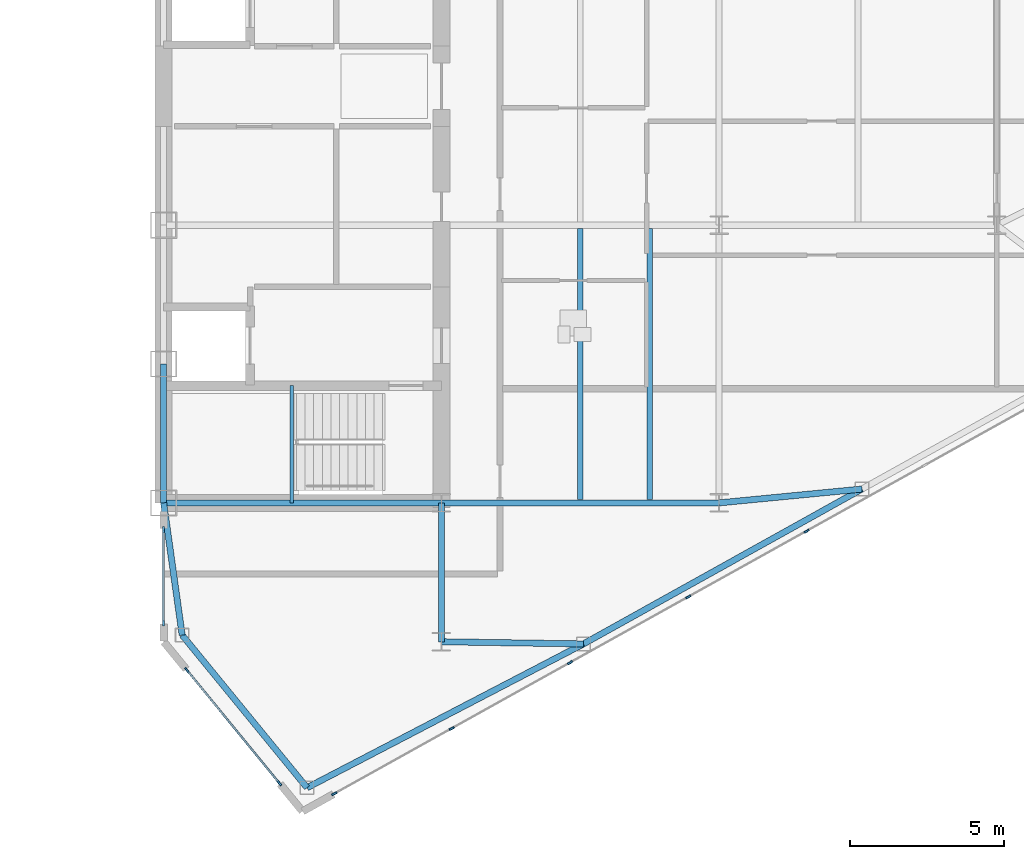
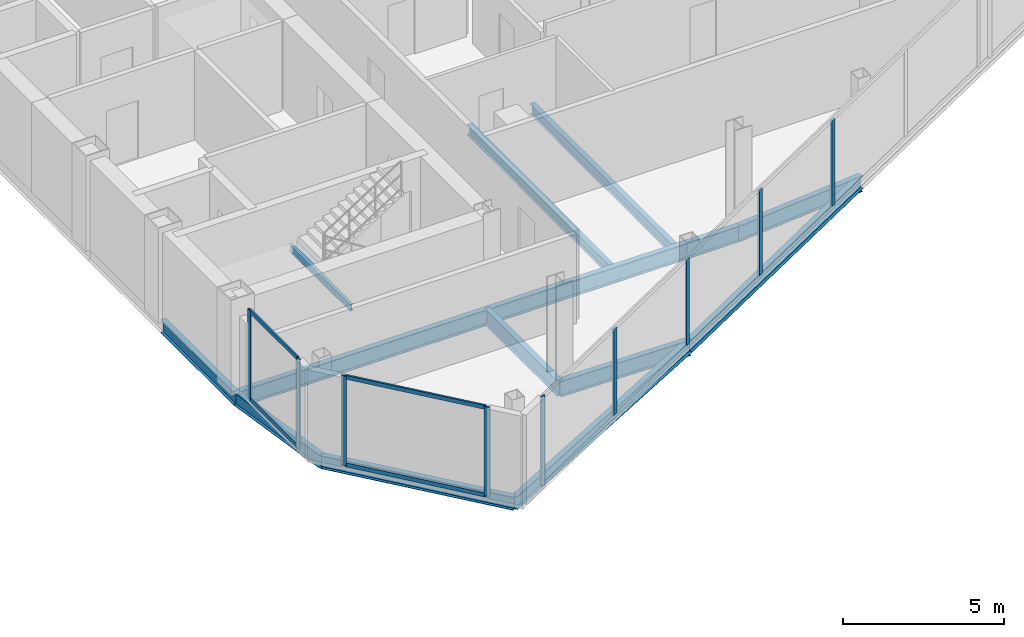
# One storey, part 11 of 25: 13 beams, 13 members, 3 elements without a shape of their own.
"""IFC4 building model written with IfcOpenShell, lengths in metres."""

import ifcopenshell
import ifcopenshell.guid

model = None  # the IFC model being written
_history = None  # IfcOwnerHistory: only IFC2X3 demands one
_inside = {}  # id of a spatial element -> (the spatial element, [elements in it])
_under = {}  # id of a project, library or spatial element -> (it, [spatial elements below it])
_declared = {}  # id of a project -> (the project, [libraries it declares])
_typed = {}  # id of a type object -> (the type object, [elements of that type])
_made_of = {}  # id of a material, layer set ... -> (it, [elements and type objects made of it])


def new_model(schema):
    """Start an empty IFC model of exactly this schema.

    Asked for "IFC4X3", IfcOpenShell would pick the latest addendum, in which some entities
    have other attributes; the version numbers below select the first issue.
    IFC2X3 requires an IfcOwnerHistory on every rooted entity: one is made here for all.
    """
    global model, _history
    if schema == "IFC4X3":
        model = ifcopenshell.file(schema_version=(4, 3, 0, 0))
    else:
        model = ifcopenshell.file(schema=schema)
    _inside.clear()
    _under.clear()
    _declared.clear()
    _typed.clear()
    _made_of.clear()
    _history = None
    if model.schema == "IFC2X3":
        org = make("IfcOrganization", Name="unknown")
        user = make(
            "IfcPersonAndOrganization",
            ThePerson=make("IfcPerson", FamilyName="unknown"),
            TheOrganization=org,
        )
        app = make(
            "IfcApplication",
            ApplicationDeveloper=org,
            Version="unknown",
            ApplicationFullName="unknown",
            ApplicationIdentifier="unknown",
        )
        _history = make(
            "IfcOwnerHistory",
            OwningUser=user,
            OwningApplication=app,
            ChangeAction="ADDED",
            CreationDate=0,
        )
    return model


def make(cls, **values):
    """One entity of the class cls with the attributes given. An attribute that is None is left unset."""
    return model.create_entity(
        cls, **{name: value for name, value in values.items() if value is not None}
    )


def rooted(cls, **values):
    """An entity with a GlobalId (a new one), such as an element, a storey or a relation."""
    return make(cls, GlobalId=ifcopenshell.guid.new(), OwnerHistory=_history, **values)


def si_unit(unit_type, name, prefix=None):
    """IfcSIUnit, for example si_unit("LENGTHUNIT", "METRE", prefix="MILLI")."""
    return make("IfcSIUnit", UnitType=unit_type, Prefix=prefix, Name=name)


def assignment(units):
    """IfcUnitAssignment: the units of a project."""
    return None if units is None else make("IfcUnitAssignment", Units=units)


def point(xyz):
    """IfcCartesianPoint."""
    return None if xyz is None else make("IfcCartesianPoint", Coordinates=xyz)


def direction(xyz):
    """IfcDirection."""
    return None if xyz is None else make("IfcDirection", DirectionRatios=xyz)


def frame(location, z_axis=None, x_axis=None):
    """IfcAxis2Placement3D, a coordinate frame: its origin and axes. An axis left out is left unset."""
    return make(
        "IfcAxis2Placement3D",
        Location=point(location),
        Axis=direction(z_axis),
        RefDirection=direction(x_axis),
    )


def frame_2d(location, x_axis=None):
    """IfcAxis2Placement2D, a coordinate frame in the plane: its origin and x axis."""
    return make(
        "IfcAxis2Placement2D", Location=point(location), RefDirection=direction(x_axis)
    )


def origin():
    """The frame at (0, 0, 0) with its axes left unset."""
    return frame((0.0, 0.0, 0.0))


def origin_2d():
    """The frame at (0, 0) in the plane with its x axis left unset."""
    return frame_2d((0.0, 0.0))


def place(relative_to, where):
    """IfcLocalPlacement: puts the frame where relative to a parent placement (None: the world)."""
    return make(
        "IfcLocalPlacement", PlacementRelTo=relative_to, RelativePlacement=where
    )


def context(
    kind, dimensions, precision=None, world=None, true_north=None, identifier=None
):
    """IfcGeometricRepresentationContext, for example the 3D "Model" context."""
    return make(
        "IfcGeometricRepresentationContext",
        ContextIdentifier=identifier,
        ContextType=kind,
        CoordinateSpaceDimension=dimensions,
        Precision=precision,
        WorldCoordinateSystem=world,
        TrueNorth=true_north,
    )


def subcontext(parent, identifier, kind, view, scale=None):
    """IfcGeometricRepresentationSubContext, for example "Body" below "Model"."""
    return make(
        "IfcGeometricRepresentationSubContext",
        ContextIdentifier=identifier,
        ContextType=kind,
        ParentContext=parent,
        TargetScale=scale,
        TargetView=view,
    )


def project(units=None, contexts=None):
    """IfcProject with its units and contexts."""
    return rooted(
        "IfcProject",
        Name="project",
        RepresentationContexts=contexts,
        UnitsInContext=assignment(units),
    )


def spatial(cls, under=None, at=None, **own):
    """A site, building, storey or space (cls), placed at a placement, below another one or the project."""
    s = rooted(cls, ObjectPlacement=at, **own)
    if under is not None:
        _under.setdefault(under.id(), (under, []))[1].append(s)
    return s


def profile(cls, at=None, kind="AREA", **sizes):
    """A parametric profile (cls). Its sizes go by their IFC names, for example OverallWidth=200.0."""
    return make(cls, ProfileType=kind, Position=at, **sizes)


def rectangle(**sizes):
    """IfcRectangleProfileDef."""
    return profile("IfcRectangleProfileDef", **sizes)


def i_section(**sizes):
    """IfcIShapeProfileDef."""
    return profile("IfcIShapeProfileDef", **sizes)


def extrude(swept, where, along, depth):
    """IfcExtrudedAreaSolid: the profile swept, set in the frame where, extruded along a direction by depth."""
    return make(
        "IfcExtrudedAreaSolid",
        SweptArea=swept,
        Position=where,
        ExtrudedDirection=direction(along),
        Depth=depth,
    )


def shape(context_of_items, identifier, shape_type, items):
    """IfcShapeRepresentation: the items that make up one representation, for example the "Body"."""
    return make(
        "IfcShapeRepresentation",
        ContextOfItems=context_of_items,
        RepresentationIdentifier=identifier,
        RepresentationType=shape_type,
        Items=items,
    )


def source(mapping_origin, context_of_items, identifier, shape_type, items):
    """IfcRepresentationMap: a shape defined once, which mapped items show again and again."""
    return make(
        "IfcRepresentationMap",
        MappingOrigin=mapping_origin,
        MappedRepresentation=shape(context_of_items, identifier, shape_type, items),
    )


def transform(
    local_origin,
    x_axis=None,
    y_axis=None,
    z_axis=None,
    scale=None,
    scale2=None,
    scale3=None,
    uniform=True,
):
    """IfcCartesianTransformationOperator3D, or its non-uniform kind. x_axis, y_axis, z_axis: its Axis1, 2, 3."""
    if uniform:
        return make(
            "IfcCartesianTransformationOperator3D",
            Axis1=direction(x_axis),
            Axis2=direction(y_axis),
            LocalOrigin=point(local_origin),
            Scale=scale,
            Axis3=direction(z_axis),
        )
    return make(
        "IfcCartesianTransformationOperator3DnonUniform",
        Axis1=direction(x_axis),
        Axis2=direction(y_axis),
        LocalOrigin=point(local_origin),
        Scale=scale,
        Axis3=direction(z_axis),
        Scale2=scale2,
        Scale3=scale3,
    )


def mapped(mapping_source, mapping_target):
    """IfcMappedItem: shows the shape of a source again, moved by a transform."""
    return make(
        "IfcMappedItem", MappingSource=mapping_source, MappingTarget=mapping_target
    )


def material(Name=None, Category=None):
    """IfcMaterial."""
    return make("IfcMaterial", Name=Name, Category=Category)


def layer(
    of_material, thickness, ventilated=None, Name=None, Category=None, Priority=None
):
    """IfcMaterialLayer: one layer of a wall or slab, of a material (None: an air gap)."""
    return make(
        "IfcMaterialLayer",
        Material=of_material,
        LayerThickness=thickness,
        IsVentilated=ventilated,
        Name=Name,
        Category=Category,
        Priority=Priority,
    )


def layer_set(layers, Name=None):
    """IfcMaterialLayerSet."""
    return make("IfcMaterialLayerSet", MaterialLayers=layers, LayerSetName=Name)


def material_profile(
    of_material, cross_section, Name=None, Category=None, Priority=None
):
    """IfcMaterialProfile: a cross section and its material."""
    return make(
        "IfcMaterialProfile",
        Name=Name,
        Material=of_material,
        Profile=cross_section,
        Priority=Priority,
        Category=Category,
    )


def profile_set(profiles, Name=None, composite=None):
    """IfcMaterialProfileSet."""
    return make(
        "IfcMaterialProfileSet",
        Name=Name,
        MaterialProfiles=profiles,
        CompositeProfile=composite,
    )


def made_of(thing, what):
    """Note that an element or type object is made of a material, layer set ...; save() writes the relation."""
    if what is not None:
        _made_of.setdefault(what.id(), (what, []))[1].append(thing)
    return thing


def type_object(cls, material=None, **own):
    """A type object (cls), such as IfcWallType, which elements share."""
    return made_of(rooted(cls, **own), material)


def type_shapes(of_type, sources):
    """Give a type object the sources (RepresentationMaps) that its elements show as mapped items."""
    of_type.RepresentationMaps = sources


def element(
    cls,
    number,
    at=None,
    inside=None,
    cuts=None,
    type_object=None,
    material=None,
    context=None,
    identifier="Body",
    shape_type=None,
    held_by="IfcProductDefinitionShape",
    body=None,
    shapes=None,
    **own,
):
    """One element of the class cls, such as IfcWall. Its Tag is "e" and its number.

    at: its placement. inside: the storey or other place that contains it. cuts: it is an
    opening in that element (IfcRelVoidsElement). A single representation is given by context,
    identifier, shape_type and body (its items); several are given by shapes. held_by: the class
    of the entity that holds the representations. save() writes the other relations.
    """
    e = rooted(cls, Tag="e%d" % number, ObjectPlacement=at, **own)
    if body is not None:
        shapes = [shape(context, identifier, shape_type, body)]
    if shapes is not None:
        e.Representation = make(held_by, Representations=shapes)
    if inside is not None:
        _inside.setdefault(inside.id(), (inside, []))[1].append(e)
    if cuts is not None:
        rooted(
            "IfcRelVoidsElement", RelatingBuildingElement=cuts, RelatedOpeningElement=e
        )
    if type_object is not None:
        _typed.setdefault(type_object.id(), (type_object, []))[1].append(e)
    return made_of(e, material)


def aggregate(whole, parts):
    """IfcRelAggregates: a whole, such as a stair, and the parts it consists of."""
    return rooted("IfcRelAggregates", RelatingObject=whole, RelatedObjects=parts)


def save(model, path):
    """Write the relations noted so far, then the file.

    IfcRelAggregates (storeys below a building ...), IfcRelContainedInSpatialStructure (elements
    in a storey), IfcRelDefinesByType, IfcRelAssociatesMaterial and IfcRelDeclares: one each for
    every whole, place, type object, material and project.
    """
    for whole, parts in _under.values():
        aggregate(whole, parts)
    for where, things in _inside.values():
        rooted(
            "IfcRelContainedInSpatialStructure",
            RelatedElements=things,
            RelatingStructure=where,
        )
    for kind, things in _typed.values():
        rooted("IfcRelDefinesByType", RelatedObjects=things, RelatingType=kind)
    for what, things in _made_of.values():
        rooted("IfcRelAssociatesMaterial", RelatedObjects=things, RelatingMaterial=what)
    for by, libraries in _declared.values():
        rooted("IfcRelDeclares", RelatingContext=by, RelatedDefinitions=libraries)
    model.write(path)


model = new_model("IFC4")

# Units and contexts
model_context = context("Model", 3, precision=1e-05, world=origin(), true_north=direction((0.0, 1.0)))
body_context = subcontext(model_context, "Body", "Model", "MODEL_VIEW")
ifc_project = project(units=[si_unit("LENGTHUNIT", "METRE"), si_unit("AREAUNIT", "SQUARE_METRE"), si_unit("VOLUMEUNIT", "CUBIC_METRE"), si_unit("PLANEANGLEUNIT", "RADIAN"), si_unit("MASSUNIT", "GRAM", prefix="KILO")], contexts=[model_context])

# Site, building, storey
site_placement = place(None, origin())
site = spatial("IfcSite", under=ifc_project, at=site_placement, CompositionType="ELEMENT")
building_placement = place(site_placement, origin())
building = spatial("IfcBuilding", under=site, at=building_placement, Name="Seokmaru Belvedere", CompositionType="ELEMENT")
storey_placement = place(building_placement, frame((0.0, 0.0, 188.699951171875)))
storey = spatial("IfcBuildingStorey", under=building, at=storey_placement, Name="L50", CompositionType="ELEMENT", Elevation=188.699951171875)

# Beams
ifc_material_1 = material(Name="Steel SM355 (355 MPa)", Category="steel")
ifc_material_profile_1 = material_profile(ifc_material_1, i_section(OverallWidth=0.199951171875, OverallDepth=0.5, WebThickness=0.010009765625, FlangeThickness=0.01611328125, at=origin_2d()), Name="H-500x200x10x16")
ifc_profile_set_1 = profile_set([ifc_material_profile_1], Name="Steel SM355 (355 MPa)")
beam_type_1 = type_object("IfcBeamType", Name="Perimeter Spandrel Beam H-500", PredefinedType="SPANDREL", material=ifc_profile_set_1)
shared_shape_1 = source(origin(), body_context, "Body", "SweptSolid", [
    extrude(i_section(OverallWidth=0.199951171875, OverallDepth=0.5, WebThickness=0.010009765625, FlangeThickness=0.01611328125, at=origin_2d()), origin(), (0.0, 0.0, 1.0), 4.5),
])
beam_1_placement = place(storey_placement, frame((27.5, -13.5, -0.469970703125), z_axis=(0.0, 1.0, 0.0), x_axis=(-1.0, 0.0, 0.0)))
element("IfcBeam", 1, at=beam_1_placement, inside=storey, type_object=beam_type_1, Name="L50 E Portal Spine Spandrel 1", PredefinedType="SPANDREL", context=body_context, shape_type="MappedRepresentation", body=[
    mapped(shared_shape_1, transform((0.0, 0.0, 0.0), scale=1.0)),
])
ifc_material_profile_2 = material_profile(ifc_material_1, i_section(OverallWidth=0.199951171875, OverallDepth=0.60009765625, WebThickness=0.010986328125, FlangeThickness=0.01708984375, at=origin_2d()), Name="H-600x200x11x17")
ifc_profile_set_2 = profile_set([ifc_material_profile_2], Name="Steel SM355 (355 MPa)")
beam_type_2 = type_object("IfcBeamType", Name="Primary Floor Girder H-600", PredefinedType="BEAM", material=ifc_profile_set_2)
shared_shape_2 = source(origin(), body_context, "Body", "SweptSolid", [
    extrude(i_section(OverallWidth=0.199951171875, OverallDepth=0.60009765625, WebThickness=0.010986328125, FlangeThickness=0.01708984375, at=origin_2d()), origin(), (0.0, 0.0, 1.0), 9.0),
])
for number, where, z_axis, x_axis, name in (
    (2, (27.5, -13.5, -0.52001953125), (1.0, 0.0, 0.0), (0.0, 1.0, 0.0), "L50 E Core Tie Girder 1"),
    (3, (36.5, -13.5, -0.52001953125), (1.0, 0.0, 0.0), (0.0, 1.0, 0.0), "L50 E Wing Primary Girder 1"),
):
    element("IfcBeam", number, at=place(storey_placement, frame(where, z_axis=z_axis, x_axis=x_axis)), inside=storey, type_object=beam_type_2, Name=name, PredefinedType="BEAM", context=body_context, shape_type="MappedRepresentation", body=[
        mapped(shared_shape_2, transform((0.0, 0.0, 0.0), scale=1.0)),
    ])
ifc_material_profile_3 = material_profile(ifc_material_1, i_section(OverallWidth=0.18505859375, OverallDepth=0.389892578125, WebThickness=0.008056640625, FlangeThickness=0.011962890625, at=origin_2d()), Name="H-390x185x8x12")
ifc_profile_set_3 = profile_set([ifc_material_profile_3], Name="Steel SM355 (355 MPa)")
beam_type_3 = type_object("IfcBeamType", Name="Secondary Floor Joist H-350", PredefinedType="JOIST", material=ifc_profile_set_3)
shared_shape_3 = source(origin(), body_context, "Body", "SweptSolid", [
    extrude(i_section(OverallWidth=0.18505859375, OverallDepth=0.389892578125, WebThickness=0.008056640625, FlangeThickness=0.011962890625, at=origin_2d()), origin(), (0.0, 0.0, 1.0), 8.7900390625),
])
type_shapes(beam_type_3, [shared_shape_3])
for number, where, z_axis, x_axis, name in (
    (4, (43.25, -13.39501953125, -0.4150390625), (0.0, 1.0, 0.0), (-1.0, 0.0, 0.0), "L50 E Wing Inner Secondary Joist 1"),
    (5, (41.0, -13.39501953125, -0.4150390625), (0.0, 1.0, 0.0), (-1.0, 0.0, 0.0), "L50 E Secondary Floor Joist 1"),
):
    element("IfcBeam", number, at=place(storey_placement, frame(where, z_axis=z_axis, x_axis=x_axis)), inside=storey, type_object=beam_type_3, Name=name, PredefinedType="JOIST", context=body_context, shape_type="MappedRepresentation", body=[
        mapped(shared_shape_3, transform((0.0, 0.0, 0.0), scale=1.0)),
    ])
shared_shape_4 = source(origin(), body_context, "Body", "SweptSolid", [
    extrude(i_section(OverallWidth=0.199951171875, OverallDepth=0.60009765625, WebThickness=0.010986328125, FlangeThickness=0.01708984375, at=origin_2d()), origin(), (0.0, 0.0, 1.0), 4.5),
])
beam_2_placement = place(storey_placement, frame((36.5, -18.0, -0.52001953125), z_axis=(0.0, 1.0, 0.0), x_axis=(-1.0, 0.0, 0.0)))
element("IfcBeam", 6, at=beam_2_placement, inside=storey, type_object=beam_type_2, Name="L50 E Core Shoulder Girder S", PredefinedType="BEAM", context=body_context, shape_type="MappedRepresentation", body=[
    mapped(shared_shape_4, transform((0.0, 0.0, 0.0), scale=1.0)),
])
shared_shape_5 = source(origin(), body_context, "Body", "SweptSolid", [
    extrude(i_section(OverallWidth=0.199951171875, OverallDepth=0.5, WebThickness=0.010009765625, FlangeThickness=0.01611328125, at=origin_2d()), origin(), (0.0, 0.0, 1.0), 10.09716796875),
])
beam_3_placement = place(storey_placement, frame((32.146728515625, -22.731689453125, -0.469970703125), z_axis=(0.887085728914, 0.461604711369, 0.0), x_axis=(-0.461604711369, 0.887085728914, 0.0)))
element("IfcBeam", 7, at=beam_3_placement, inside=storey, type_object=beam_type_1, Name="L50 E Faceted Flank Spandrel S-1", PredefinedType="SPANDREL", context=body_context, shape_type="MappedRepresentation", body=[
    mapped(shared_shape_5, transform((0.0, 0.0, 0.0), scale=1.0)),
])
shared_shape_6 = source(origin(), body_context, "Body", "SweptSolid", [
    extrude(i_section(OverallWidth=0.199951171875, OverallDepth=0.5, WebThickness=0.010009765625, FlangeThickness=0.01611328125, at=origin_2d()), origin(), (0.0, 0.0, 1.0), 10.327392578125),
])
beam_4_placement = place(storey_placement, frame((41.103759765625, -18.07080078125, -0.469970703125), z_axis=(0.873924120588, 0.486062374037, 0.0), x_axis=(-0.486062374037, 0.873924120588, 0.0)))
element("IfcBeam", 8, at=beam_4_placement, inside=storey, type_object=beam_type_1, Name="L50 E Faceted Flank Spandrel S-2", PredefinedType="SPANDREL", context=body_context, shape_type="MappedRepresentation", body=[
    mapped(shared_shape_6, transform((0.0, 0.0, 0.0), scale=1.0)),
])
shared_shape_7 = source(origin(), body_context, "Body", "SweptSolid", [
    extrude(i_section(OverallWidth=0.199951171875, OverallDepth=0.5, WebThickness=0.010009765625, FlangeThickness=0.01611328125, at=origin_2d()), origin(), (0.0, 0.0, 1.0), 6.390380859375),
])
beam_5_placement = place(storey_placement, frame((32.146728515625, -22.731689453125, -0.469970703125), z_axis=(-0.63324403161, 0.7739521926, 0.0), x_axis=(-0.7739521926, -0.63324403161, 0.0)))
element("IfcBeam", 9, at=beam_5_placement, inside=storey, type_object=beam_type_1, Name="L50 E Shoulder Chamfer Spandrel S", PredefinedType="SPANDREL", context=body_context, shape_type="MappedRepresentation", body=[
    mapped(shared_shape_7, transform((0.0, 0.0, 0.0), scale=1.0)),
])
shared_shape_8 = source(origin(), body_context, "Body", "SweptSolid", [
    extrude(i_section(OverallWidth=0.199951171875, OverallDepth=0.5, WebThickness=0.010009765625, FlangeThickness=0.01611328125, at=origin_2d()), origin(), (0.0, 0.0, 1.0), 4.32763671875),
])
type_shapes(beam_type_1, [shared_shape_1, shared_shape_5, shared_shape_6, shared_shape_7, shared_shape_8])
beam_6_placement = place(storey_placement, frame((28.10009765625, -17.785888671875, -0.469970703125), z_axis=(-0.138664443237, 0.990339422714, 0.0), x_axis=(-0.990339422714, -0.138664443237, 0.0)))
element("IfcBeam", 10, at=beam_6_placement, inside=storey, type_object=beam_type_1, Name="L50 E Shoulder Spine Spandrel S", PredefinedType="SPANDREL", context=body_context, shape_type="MappedRepresentation", body=[
    mapped(shared_shape_8, transform((0.0, 0.0, 0.0), scale=1.0)),
])
shared_shape_9 = source(origin(), body_context, "Body", "SweptSolid", [
    extrude(i_section(OverallWidth=0.199951171875, OverallDepth=0.60009765625, WebThickness=0.010986328125, FlangeThickness=0.01708984375, at=origin_2d()), origin(), (0.0, 0.0, 1.0), 4.604248046875),
])
beam_7_placement = place(storey_placement, frame((41.103759765625, -18.07080078125, -0.52001953125), z_axis=(-0.999881765622, 0.01537708607, 0.0), x_axis=(-0.01537708607, -0.999881765622, 0.0)))
element("IfcBeam", 11, at=beam_7_placement, inside=storey, type_object=beam_type_2, Name="L50 E Flank Radial Floor Girder S-1", PredefinedType="BEAM", context=body_context, shape_type="MappedRepresentation", body=[
    mapped(shared_shape_9, transform((0.0, 0.0, 0.0), scale=1.0)),
])
shared_shape_10 = source(origin(), body_context, "Body", "SweptSolid", [
    extrude(i_section(OverallWidth=0.199951171875, OverallDepth=0.60009765625, WebThickness=0.010986328125, FlangeThickness=0.01708984375, at=origin_2d()), origin(), (0.0, 0.0, 1.0), 4.65087890625),
])
type_shapes(beam_type_2, [shared_shape_2, shared_shape_4, shared_shape_9, shared_shape_10])
beam_8_placement = place(storey_placement, frame((50.129150390625, -13.051025390625, -0.52001953125), z_axis=(-0.995329534874, -0.09653557379, 0.0), x_axis=(0.09653557379, -0.995329534874, 0.0)))
element("IfcBeam", 12, at=beam_8_placement, inside=storey, type_object=beam_type_2, Name="L50 E Flank Radial Floor Girder S-2", PredefinedType="BEAM", context=body_context, shape_type="MappedRepresentation", body=[
    mapped(shared_shape_10, transform((0.0, 0.0, 0.0), scale=1.0)),
])

# Curtain wall, members
ifc_material_2 = material(Name="Bronze Triple Insulating Glass", Category="glass")
ifc_layer = layer(ifc_material_2, 0.179931640625)
ifc_layer_set = layer_set([ifc_layer], Name="Bronze Triple Insulating Glass")
curtain_wall_type = type_object("IfcCurtainWallType", Name="High-Rise Wind-Corner Curtain Wall System CW-5", PredefinedType="NOTDEFINED", material=ifc_layer_set)
curtain_wall_1_placement = place(storey_placement, origin())
curtain_wall_1 = element("IfcCurtainWall", 13, at=curtain_wall_1_placement, inside=storey, type_object=curtain_wall_type, Name="L50 Curtain Wall ESP_1", PredefinedType="NOTDEFINED")
ifc_material_3 = material(Name="Anodised Bronze Aluminium", Category="aluminium")
ifc_material_profile_4 = material_profile(ifc_material_3, rectangle(XDim=0.06494140625, YDim=0.14990234375, at=origin_2d()), Name="CW-T-65x150")
ifc_profile_set_4 = profile_set([ifc_material_profile_4], Name="Anodised Bronze Aluminium")
member_type_1 = type_object("IfcMemberType", Name="Bronze Unitised Transom 65x150", PredefinedType="USERDEFINED", material=ifc_profile_set_4)
shared_shape_11 = source(origin(), body_context, "Body", "SweptSolid", [
    extrude(rectangle(XDim=0.06494140625, YDim=0.14990234375, at=origin_2d()), origin(), (0.0, 0.0, 1.0), 2.969970703125),
])
member_1_placement = place(storey_placement, frame((27.5, -14.39501953125, 0.032470703125), z_axis=(0.0, -1.0, 0.0), x_axis=(1.0, 0.0, 0.0)))
member_1 = element("IfcMember", 14, at=member_1_placement, type_object=member_type_1, Name="CW:L50:ESP_1 Continuous Transom 1", ObjectType="TRANSOM", PredefinedType="USERDEFINED", context=body_context, shape_type="MappedRepresentation", body=[
    mapped(shared_shape_11, transform((0.0, 0.0, 0.0), scale=1.0)),
])
member_2_placement = place(storey_placement, frame((27.5, -14.39501953125, 3.34765625), z_axis=(0.0, -1.0, 0.0), x_axis=(1.0, 0.0, 0.0)))
member_2 = element("IfcMember", 15, at=member_2_placement, type_object=member_type_1, Name="CW:L50:ESP_1 Continuous Transom 2", ObjectType="TRANSOM", PredefinedType="USERDEFINED", context=body_context, shape_type="MappedRepresentation", body=[
    mapped(shared_shape_11, transform((0.0, 0.0, 0.0), scale=1.0)),
])

curtain_wall_2_placement = place(storey_placement, origin())
curtain_wall_2 = element("IfcCurtainWall", 16, at=curtain_wall_2_placement, inside=storey, type_object=curtain_wall_type, Name="L50 Curtain Wall EF6", PredefinedType="NOTDEFINED")
shared_shape_12 = source(origin(), body_context, "Body", "SweptSolid", [
    extrude(rectangle(XDim=0.06494140625, YDim=0.14990234375, at=origin_2d()), origin(), (0.0, 0.0, 1.0), 4.67626953125),
])
type_shapes(member_type_1, [shared_shape_11, shared_shape_12])
member_3_placement = place(storey_placement, frame((28.269287109375, -18.9404296875, 0.032470703125), z_axis=(0.633277591216, -0.773924733074, 0.0), x_axis=(0.773924733074, 0.633277591216, 0.0)))
member_3 = element("IfcMember", 17, at=member_3_placement, type_object=member_type_1, Name="CW:L50:EF6 Continuous Transom 1", ObjectType="TRANSOM", PredefinedType="USERDEFINED", context=body_context, shape_type="MappedRepresentation", body=[
    mapped(shared_shape_12, transform((0.0, 0.0, 0.0), scale=1.0)),
])
member_4_placement = place(storey_placement, frame((28.269287109375, -18.9404296875, 3.34765625), z_axis=(0.633277591216, -0.773924733074, 0.0), x_axis=(0.773924733074, 0.633277591216, 0.0)))
member_4 = element("IfcMember", 18, at=member_4_placement, type_object=member_type_1, Name="CW:L50:EF6 Continuous Transom 2", ObjectType="TRANSOM", PredefinedType="USERDEFINED", context=body_context, shape_type="MappedRepresentation", body=[
    mapped(shared_shape_12, transform((0.0, 0.0, 0.0), scale=1.0)),
])

curtain_wall_3_placement = place(storey_placement, origin())
curtain_wall_3 = element("IfcCurtainWall", 19, at=curtain_wall_3_placement, inside=storey, type_object=curtain_wall_type, Name="L50 Curtain Wall EF1", PredefinedType="NOTDEFINED")
ifc_material_profile_5 = material_profile(ifc_material_3, rectangle(XDim=0.06494140625, YDim=0.179931640625, at=origin_2d()), Name="CW-M-65x180")
ifc_profile_set_5 = profile_set([ifc_material_profile_5], Name="Anodised Bronze Aluminium")
member_type_2 = type_object("IfcMemberType", Name="Bronze Unitised Mullion 65x180", PredefinedType="MULLION", material=ifc_profile_set_5)
shared_shape_13 = source(origin(), body_context, "Body", "SweptSolid", [
    extrude(rectangle(XDim=0.06494140625, YDim=0.179931640625, at=origin_2d()), origin(), (0.0, 0.0, 1.0), 3.25),
])
member_5_placement = place(storey_placement, frame((36.837158203125, -20.809814453125, 0.06494140625), z_axis=(0.0, 0.0, 1.0), x_axis=(-0.486047125147, 0.873932601598, 0.0)))
member_5 = element("IfcMember", 20, at=member_5_placement, type_object=member_type_2, Name="CW:L50:EF1 Mullion 2", PredefinedType="MULLION", context=body_context, shape_type="MappedRepresentation", body=[
    mapped(shared_shape_13, transform((0.0, 0.0, 0.0), scale=1.0)),
])
member_6_placement = place(storey_placement, frame((40.66943359375, -18.67822265625, 0.06494140625), z_axis=(0.0, 0.0, 1.0), x_axis=(-0.486047125147, 0.873932601598, 0.0)))
member_6 = element("IfcMember", 21, at=member_6_placement, type_object=member_type_2, Name="CW:L50:EF1 Mullion 3", PredefinedType="MULLION", context=body_context, shape_type="MappedRepresentation", body=[
    mapped(shared_shape_13, transform((0.0, 0.0, 0.0), scale=1.0)),
])
member_7_placement = place(storey_placement, frame((44.501708984375, -16.547119140625, 0.06494140625), z_axis=(0.0, 0.0, 1.0), x_axis=(-0.486047125147, 0.873932601598, 0.0)))
member_7 = element("IfcMember", 22, at=member_7_placement, type_object=member_type_2, Name="CW:L50:EF1 Mullion 4", PredefinedType="MULLION", context=body_context, shape_type="MappedRepresentation", body=[
    mapped(shared_shape_13, transform((0.0, 0.0, 0.0), scale=1.0)),
])
member_8_placement = place(storey_placement, frame((48.333984375, -14.415771484375, 0.06494140625), z_axis=(0.0, 0.0, 1.0), x_axis=(-0.486047125147, 0.873932601598, 0.0)))
member_8 = element("IfcMember", 23, at=member_8_placement, type_object=member_type_2, Name="CW:L50:EF1 Mullion 5", PredefinedType="MULLION", context=body_context, shape_type="MappedRepresentation", body=[
    mapped(shared_shape_13, transform((0.0, 0.0, 0.0), scale=1.0)),
])
shared_shape_14 = source(origin(), body_context, "Body", "SweptSolid", [
    extrude(rectangle(XDim=0.06494140625, YDim=0.179931640625, at=origin_2d()), origin(), (0.0, 0.0, 1.0), 3.380126953125),
])
type_shapes(member_type_2, [shared_shape_13, shared_shape_14])
member_9_placement = place(storey_placement, frame((33.033447265625, -22.92529296875, 0.0), z_axis=(0.0, 0.0, 1.0), x_axis=(-0.486047125147, 0.873932601598, 0.0)))
member_9 = element("IfcMember", 24, at=member_9_placement, type_object=member_type_2, Name="CW:L50:EF1 Mullion 1", PredefinedType="MULLION", context=body_context, shape_type="MappedRepresentation", body=[
    mapped(shared_shape_14, transform((0.0, 0.0, 0.0), scale=1.0)),
])
aggregate(curtain_wall_3, [member_9, member_5, member_6, member_7, member_8])

# Member
member_10_placement = place(storey_placement, frame((27.5, -14.362548828125, 0.0), z_axis=(0.0, 0.0, 1.0), x_axis=(1.0, 0.0, 0.0)))
member_10 = element("IfcMember", 25, at=member_10_placement, type_object=member_type_2, Name="CW:L50:ESP_1 Mullion 1", PredefinedType="MULLION", context=body_context, shape_type="MappedRepresentation", body=[
    mapped(shared_shape_14, transform((0.0, 0.0, 0.0), scale=1.0)),
])

member_11_placement = place(storey_placement, frame((27.5, -17.3974609375, 0.0), z_axis=(0.0, 0.0, 1.0), x_axis=(1.0, 0.0, 0.0)))
member_11 = element("IfcMember", 26, at=member_11_placement, type_object=member_type_2, Name="CW:L50:ESP_1 Mullion 2", PredefinedType="MULLION", context=body_context, shape_type="MappedRepresentation", body=[
    mapped(shared_shape_14, transform((0.0, 0.0, 0.0), scale=1.0)),
])

aggregate(curtain_wall_1, [member_10, member_11, member_1, member_2])

member_12_placement = place(storey_placement, frame((28.248779296875, -18.915283203125, 0.0), z_axis=(0.0, 0.0, 1.0), x_axis=(0.773944112379, 0.633253907144, 0.0)))
member_12 = element("IfcMember", 27, at=member_12_placement, type_object=member_type_2, Name="CW:L50:EF6 Mullion 1", PredefinedType="MULLION", context=body_context, shape_type="MappedRepresentation", body=[
    mapped(shared_shape_14, transform((0.0, 0.0, 0.0), scale=1.0)),
])

member_13_placement = place(storey_placement, frame((31.251220703125, -22.584716796875, 0.0), z_axis=(0.0, 0.0, 1.0), x_axis=(0.773944112379, 0.633253907144, 0.0)))
member_13 = element("IfcMember", 28, at=member_13_placement, type_object=member_type_2, Name="CW:L50:EF6 Mullion 2", PredefinedType="MULLION", context=body_context, shape_type="MappedRepresentation", body=[
    mapped(shared_shape_14, transform((0.0, 0.0, 0.0), scale=1.0)),
])

aggregate(curtain_wall_2, [member_12, member_13, member_3, member_4])

# Beam
ifc_material_profile_6 = material_profile(ifc_material_1, i_section(OverallWidth=0.125, OverallDepth=0.25, WebThickness=0.006103515625, FlangeThickness=0.009033203125, at=origin_2d()), Name="H-250x125x6x9")
ifc_profile_set_6 = profile_set([ifc_material_profile_6], Name="Steel SM355 (355 MPa)")
beam_type_4 = type_object("IfcBeamType", Name="Stair Mid-Landing Support Beam H-250", PredefinedType="JOIST", material=ifc_profile_set_6)
shared_shape_15 = source(origin(), body_context, "Body", "SweptSolid", [
    extrude(i_section(OverallWidth=0.125, OverallDepth=0.25, WebThickness=0.006103515625, FlangeThickness=0.009033203125, at=origin_2d()), origin(), (0.0, 0.0, 1.0), 3.800048828125),
])
type_shapes(beam_type_4, [shared_shape_15])
beam_9_placement = place(storey_placement, frame((31.64990234375, -13.5, 1.47509765625), z_axis=(0.0, 1.0, 0.0), x_axis=(-1.0, 0.0, 0.0)))
element("IfcBeam", 29, at=beam_9_placement, inside=storey, type_object=beam_type_4, Name="L50 Stair ST-E1 Mid-Landing Support Beam 1", PredefinedType="JOIST", context=body_context, shape_type="MappedRepresentation", body=[
    mapped(shared_shape_15, transform((0.0, 0.0, 0.0), scale=1.0)),
])

save(model, "model.ifc")
